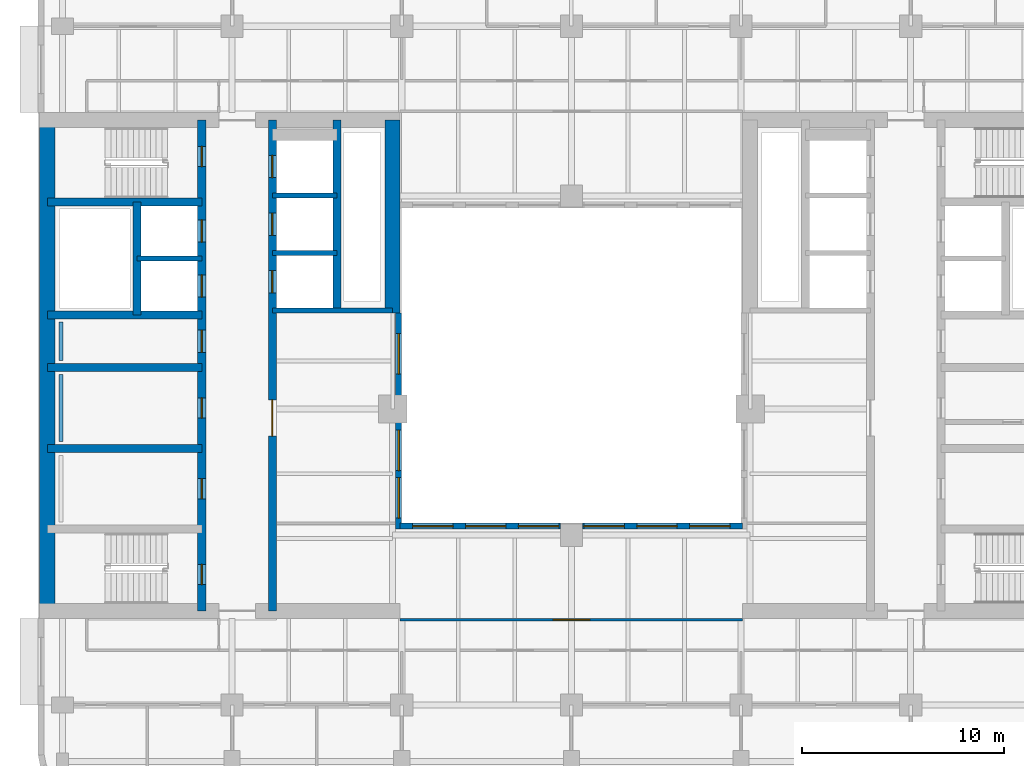
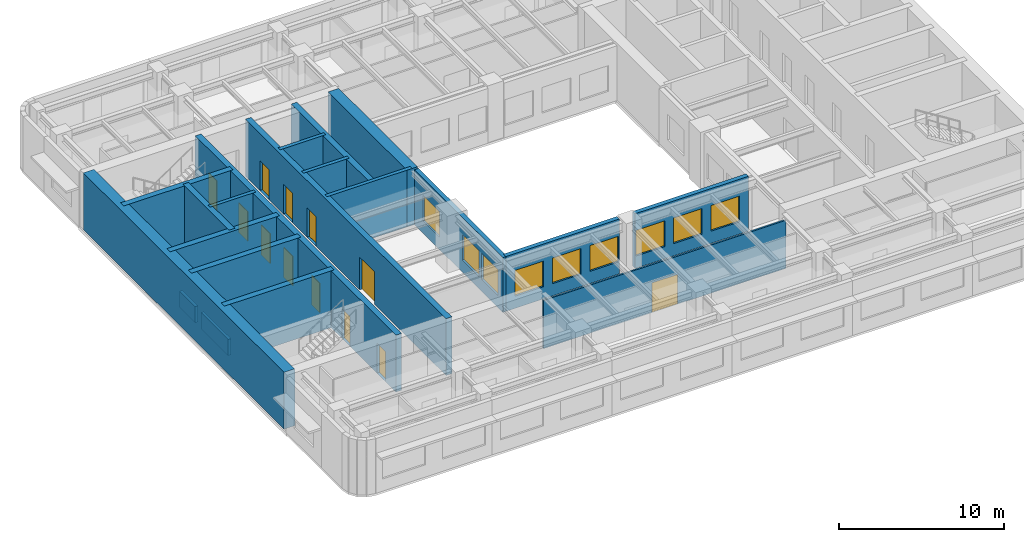
# One storey, part 4 of 11: 20 walls, 12 doors, 9 windows, 21 openings.
"""IFC4 building model written with IfcOpenShell, lengths in metres."""

from ifc_helpers import new_model, si_unit, direction, frame, frame_2d, origin, place, context, subcontext, project, spatial, rectangle, extrude, material, layer, layer_set, type_object, element, fill, save


model = new_model("IFC4")

# Units and contexts
model_context = context("Model", 3, precision=1e-05, world=origin(), true_north=direction((0.0, 1.0)))
body_context = subcontext(model_context, "Body", "Model", "MODEL_VIEW")
ifc_project = project(units=[si_unit("LENGTHUNIT", "METRE"), si_unit("AREAUNIT", "SQUARE_METRE"), si_unit("VOLUMEUNIT", "CUBIC_METRE"), si_unit("PLANEANGLEUNIT", "RADIAN"), si_unit("MASSUNIT", "GRAM", prefix="KILO")], contexts=[model_context])

# Site, building, storey
site_placement = place(None, origin())
site = spatial("IfcSite", under=ifc_project, at=site_placement, CompositionType="ELEMENT")
building_placement = place(site_placement, origin())
building = spatial("IfcBuilding", under=site, at=building_placement, Name="Claustro Exchange Tower", CompositionType="ELEMENT")
storey_placement = place(building_placement, frame((0.0, 0.0, 202.800048828125)))
storey = spatial("IfcBuildingStorey", under=building, at=storey_placement, Name="L46", CompositionType="ELEMENT", Elevation=202.800048828125)

# Wall, opening, door
ifc_material_1 = material(Name="Laminated glass in aluminium frame", Category="aluminium")
ifc_layer_1 = layer(ifc_material_1, 0.1201171875)
ifc_layer_set_1 = layer_set([ifc_layer_1], Name="Laminated glass in aluminium frame")
wall_type_1 = type_object("IfcWallType", Name="P2 120 glazed partition", PredefinedType="PARTITIONING", material=ifc_layer_set_1)
wall_1_placement = place(storey_placement, frame((16.72509765625, 12.614990234375, 0.0), z_axis=(0.0, 0.0, 1.0), x_axis=(1.0, 0.0, 0.0)))
wall_1 = element("IfcWall", 1, at=wall_1_placement, inside=storey, type_object=wall_type_1, Name="Partition P2 L46", PredefinedType="PARTITIONING", context=body_context, shape_type="SweptSolid", body=[
    extrude(rectangle(XDim=16.949951171875, YDim=0.1201171875, at=frame_2d((8.47509765625, 0.0))), origin(), (0.0, 0.0, 1.0), 3.550048828125),
])
opening_1_placement = place(wall_1_placement, frame((7.574951171875, 0.0, 0.0)))
opening_1 = element("IfcOpeningElement", 2, at=opening_1_placement, cuts=wall_1, Name="Opening D2", PredefinedType="OPENING", context=body_context, shape_type="SweptSolid", body=[
    extrude(rectangle(XDim=1.800048828125, YDim=2.199951171875, at=frame_2d((0.89990234375, 1.10009765625))), frame((0.0, 0.070068359375, 0.0), z_axis=(0.0, -1.0, 0.0), x_axis=(1.0, 0.0, 0.0)), (0.0, 0.0, 1.0), 0.14013671875),
])
ifc_material_2 = material(Name="Timber door, oak veneer", Category="wood")
door_type_1 = type_object("IfcDoorType", Name="D2 1800 x 2200 double door", OperationType="DOUBLE_DOOR_SINGLE_SWING", PredefinedType="DOOR", material=ifc_material_2)
door_1_placement = place(opening_1_placement, origin())
door_1 = element("IfcDoor", 3, at=door_1_placement, inside=storey, type_object=door_type_1, Name="Double door D2 L46", OperationType="DOUBLE_DOOR_SINGLE_SWING", OverallHeight=2.199951171875, OverallWidth=1.800048828125, PredefinedType="DOOR", context=body_context, shape_type="SweptSolid", body=[
    extrude(rectangle(XDim=1.800048828125, YDim=2.199951171875, at=frame_2d((0.89990234375, 1.10009765625))), frame((0.0, 0.02490234375, 0.0), z_axis=(0.0, -1.0, 0.0), x_axis=(1.0, 0.0, 0.0)), (0.0, 0.0, 1.0), 0.050048828125),
])
fill(opening_1, door_1)

# Wall, openings, windows
ifc_material_3 = material(Name="Concrete HA-40 (C40/50), precast, white cement, acid-etched", Category="concrete")
ifc_layer_2 = layer(ifc_material_3, 0.300048828125)
ifc_layer_set_2 = layer_set([ifc_layer_2], Name="Concrete HA-40 (C40/50), precast, white cement, acid-etched")
wall_type_2 = type_object("IfcWallType", Name="PC1 300 precast concrete pier panel", PredefinedType="SOLIDWALL", material=ifc_layer_set_2)
wall_2_placement = place(storey_placement, frame((16.64990234375, 17.10009765625, 0.0), z_axis=(0.0, 0.0, 1.0), x_axis=(0.0, 1.0, 0.0)))
wall_2 = element("IfcWall", 4, at=wall_2_placement, inside=storey, type_object=wall_type_2, Name="Precast pier panel PC1 L46", PredefinedType="SOLIDWALL", context=body_context, shape_type="SweptSolid", body=[
    extrude(rectangle(XDim=10.699951171875, YDim=0.300048828125, at=frame_2d((5.35009765625, 0.0))), origin(), (0.0, 0.0, 1.0), 4.050048828125),
])
opening_2_placement = place(wall_2_placement, frame((0.550048828125, 0.0, 0.89990234375)))
opening_2 = element("IfcOpeningElement", 5, at=opening_2_placement, cuts=wall_2, Name="Opening W4", PredefinedType="OPENING", context=body_context, shape_type="SweptSolid", body=[
    extrude(rectangle(XDim=2.0, YDim=1.89990234375, at=frame_2d((1.0, 0.949951171875))), frame((0.0, 0.159912109375, 0.0), z_axis=(0.0, -1.0, 0.0), x_axis=(1.0, 0.0, 0.0)), (0.0, 0.0, 1.0), 0.320068359375),
])
opening_3_placement = place(wall_2_placement, frame((2.89990234375, 0.0, 0.89990234375)))
opening_3 = element("IfcOpeningElement", 6, at=opening_3_placement, cuts=wall_2, Name="Opening W4", PredefinedType="OPENING", context=body_context, shape_type="SweptSolid", body=[
    extrude(rectangle(XDim=2.0, YDim=1.89990234375, at=frame_2d((1.0, 0.949951171875))), frame((0.0, 0.159912109375, 0.0), z_axis=(0.0, -1.0, 0.0), x_axis=(1.0, 0.0, 0.0)), (0.0, 0.0, 1.0), 0.320068359375),
])
opening_4_placement = place(wall_2_placement, frame((7.675048828125, 0.0, 0.89990234375)))
opening_4 = element("IfcOpeningElement", 7, at=opening_4_placement, cuts=wall_2, Name="Opening W4", PredefinedType="OPENING", context=body_context, shape_type="SweptSolid", body=[
    extrude(rectangle(XDim=2.0, YDim=1.89990234375, at=frame_2d((1.0, 0.949951171875))), frame((0.0, 0.159912109375, 0.0), z_axis=(0.0, -1.0, 0.0), x_axis=(1.0, 0.0, 0.0)), (0.0, 0.0, 1.0), 0.320068359375),
])
ifc_material_4 = material(Name="Aluminium frame, clear double glazing", Category="aluminium")
window_type = type_object("IfcWindowType", Name="W4 2000 x 1900 light well window", PartitioningType="SINGLE_PANEL", PredefinedType="WINDOW", material=ifc_material_4)
window_1_placement = place(opening_2_placement, origin())
window_1 = element("IfcWindow", 8, at=window_1_placement, inside=storey, type_object=window_type, Name="Window W4 L46", OverallHeight=1.89990234375, OverallWidth=2.0, PartitioningType="SINGLE_PANEL", PredefinedType="WINDOW", context=body_context, shape_type="SweptSolid", body=[
    extrude(rectangle(XDim=2.0, YDim=1.89990234375, at=frame_2d((1.0, 0.949951171875))), frame((0.0, 0.030029296875, 0.0), z_axis=(0.0, -1.0, 0.0), x_axis=(1.0, 0.0, 0.0)), (0.0, 0.0, 1.0), 0.06005859375),
])
fill(opening_2, window_1)
window_2_placement = place(opening_3_placement, origin())
window_2 = element("IfcWindow", 9, at=window_2_placement, inside=storey, type_object=window_type, Name="Window W4 L46", OverallHeight=1.89990234375, OverallWidth=2.0, PartitioningType="SINGLE_PANEL", PredefinedType="WINDOW", context=body_context, shape_type="SweptSolid", body=[
    extrude(rectangle(XDim=2.0, YDim=1.89990234375, at=frame_2d((1.0, 0.949951171875))), frame((0.0, 0.030029296875, 0.0), z_axis=(0.0, -1.0, 0.0), x_axis=(1.0, 0.0, 0.0)), (0.0, 0.0, 1.0), 0.06005859375),
])
fill(opening_3, window_2)
window_3_placement = place(opening_4_placement, origin())
window_3 = element("IfcWindow", 10, at=window_3_placement, inside=storey, type_object=window_type, Name="Window W4 L46", OverallHeight=1.89990234375, OverallWidth=2.0, PartitioningType="SINGLE_PANEL", PredefinedType="WINDOW", context=body_context, shape_type="SweptSolid", body=[
    extrude(rectangle(XDim=2.0, YDim=1.89990234375, at=frame_2d((1.0, 0.949951171875))), frame((0.0, 0.030029296875, 0.0), z_axis=(0.0, -1.0, 0.0), x_axis=(1.0, 0.0, 0.0)), (0.0, 0.0, 1.0), 0.06005859375),
])
fill(opening_4, window_3)

wall_3_placement = place(storey_placement, frame((16.72509765625, 17.25, 0.0), z_axis=(0.0, 0.0, 1.0), x_axis=(1.0, 0.0, 0.0)))
wall_3 = element("IfcWall", 11, at=wall_3_placement, inside=storey, type_object=wall_type_2, Name="Precast pier panel PC1 L46", PredefinedType="SOLIDWALL", context=body_context, shape_type="SweptSolid", body=[
    extrude(rectangle(XDim=7.9248046875, YDim=0.300048828125, at=frame_2d((3.96240234375, 0.0))), origin(), (0.0, 0.0, 1.0), 4.050048828125),
])
opening_5_placement = place(wall_3_placement, frame((0.61865234375, 0.0, 0.89990234375)))
opening_5 = element("IfcOpeningElement", 12, at=opening_5_placement, cuts=wall_3, Name="Opening W4", PredefinedType="OPENING", context=body_context, shape_type="SweptSolid", body=[
    extrude(rectangle(XDim=2.0, YDim=1.89990234375, at=frame_2d((1.0, 0.949951171875))), frame((0.0, 0.159912109375, 0.0), z_axis=(0.0, -1.0, 0.0), x_axis=(1.0, 0.0, 0.0)), (0.0, 0.0, 1.0), 0.320068359375),
])
opening_6_placement = place(wall_3_placement, frame((3.237548828125, 0.0, 0.89990234375)))
opening_6 = element("IfcOpeningElement", 13, at=opening_6_placement, cuts=wall_3, Name="Opening W4", PredefinedType="OPENING", context=body_context, shape_type="SweptSolid", body=[
    extrude(rectangle(XDim=2.0, YDim=1.89990234375, at=frame_2d((1.0, 0.949951171875))), frame((0.0, 0.159912109375, 0.0), z_axis=(0.0, -1.0, 0.0), x_axis=(1.0, 0.0, 0.0)), (0.0, 0.0, 1.0), 0.320068359375),
])
opening_7_placement = place(wall_3_placement, frame((5.856201171875, 0.0, 0.89990234375)))
opening_7 = element("IfcOpeningElement", 14, at=opening_7_placement, cuts=wall_3, Name="Opening W4", PredefinedType="OPENING", context=body_context, shape_type="SweptSolid", body=[
    extrude(rectangle(XDim=2.0, YDim=1.89990234375, at=frame_2d((1.0, 0.949951171875))), frame((0.0, 0.159912109375, 0.0), z_axis=(0.0, -1.0, 0.0), x_axis=(1.0, 0.0, 0.0)), (0.0, 0.0, 1.0), 0.320068359375),
])
window_4_placement = place(opening_5_placement, origin())
window_4 = element("IfcWindow", 15, at=window_4_placement, inside=storey, type_object=window_type, Name="Window W4 L46", OverallHeight=1.89990234375, OverallWidth=2.0, PartitioningType="SINGLE_PANEL", PredefinedType="WINDOW", context=body_context, shape_type="SweptSolid", body=[
    extrude(rectangle(XDim=2.0, YDim=1.89990234375, at=frame_2d((1.0, 0.949951171875))), frame((0.0, 0.030029296875, 0.0), z_axis=(0.0, -1.0, 0.0), x_axis=(1.0, 0.0, 0.0)), (0.0, 0.0, 1.0), 0.06005859375),
])
fill(opening_5, window_4)
window_5_placement = place(opening_6_placement, origin())
window_5 = element("IfcWindow", 16, at=window_5_placement, inside=storey, type_object=window_type, Name="Window W4 L46", OverallHeight=1.89990234375, OverallWidth=2.0, PartitioningType="SINGLE_PANEL", PredefinedType="WINDOW", context=body_context, shape_type="SweptSolid", body=[
    extrude(rectangle(XDim=2.0, YDim=1.89990234375, at=frame_2d((1.0, 0.949951171875))), frame((0.0, 0.030029296875, 0.0), z_axis=(0.0, -1.0, 0.0), x_axis=(1.0, 0.0, 0.0)), (0.0, 0.0, 1.0), 0.06005859375),
])
fill(opening_6, window_5)
window_6_placement = place(opening_7_placement, origin())
window_6 = element("IfcWindow", 17, at=window_6_placement, inside=storey, type_object=window_type, Name="Window W4 L46", OverallHeight=1.89990234375, OverallWidth=2.0, PartitioningType="SINGLE_PANEL", PredefinedType="WINDOW", context=body_context, shape_type="SweptSolid", body=[
    extrude(rectangle(XDim=2.0, YDim=1.89990234375, at=frame_2d((1.0, 0.949951171875))), frame((0.0, 0.030029296875, 0.0), z_axis=(0.0, -1.0, 0.0), x_axis=(1.0, 0.0, 0.0)), (0.0, 0.0, 1.0), 0.06005859375),
])
fill(opening_7, window_6)

wall_4_placement = place(storey_placement, frame((25.75, 17.25, 0.0), z_axis=(0.0, 0.0, 1.0), x_axis=(1.0, 0.0, 0.0)))
wall_4 = element("IfcWall", 18, at=wall_4_placement, inside=storey, type_object=wall_type_2, Name="Precast pier panel PC1 L46", PredefinedType="SOLIDWALL", context=body_context, shape_type="SweptSolid", body=[
    extrude(rectangle(XDim=7.925048828125, YDim=0.300048828125, at=frame_2d((3.96240234375, 0.0))), origin(), (0.0, 0.0, 1.0), 4.050048828125),
])
opening_8_placement = place(wall_4_placement, frame((0.068603515625, 0.0, 0.89990234375)))
opening_8 = element("IfcOpeningElement", 19, at=opening_8_placement, cuts=wall_4, Name="Opening W4", PredefinedType="OPENING", context=body_context, shape_type="SweptSolid", body=[
    extrude(rectangle(XDim=2.0, YDim=1.89990234375, at=frame_2d((1.0, 0.949951171875))), frame((0.0, 0.159912109375, 0.0), z_axis=(0.0, -1.0, 0.0), x_axis=(1.0, 0.0, 0.0)), (0.0, 0.0, 1.0), 0.320068359375),
])
opening_9_placement = place(wall_4_placement, frame((2.6875, 0.0, 0.89990234375)))
opening_9 = element("IfcOpeningElement", 20, at=opening_9_placement, cuts=wall_4, Name="Opening W4", PredefinedType="OPENING", context=body_context, shape_type="SweptSolid", body=[
    extrude(rectangle(XDim=2.0, YDim=1.89990234375, at=frame_2d((1.0, 0.949951171875))), frame((0.0, 0.159912109375, 0.0), z_axis=(0.0, -1.0, 0.0), x_axis=(1.0, 0.0, 0.0)), (0.0, 0.0, 1.0), 0.320068359375),
])
opening_10_placement = place(wall_4_placement, frame((5.30615234375, 0.0, 0.89990234375)))
opening_10 = element("IfcOpeningElement", 21, at=opening_10_placement, cuts=wall_4, Name="Opening W4", PredefinedType="OPENING", context=body_context, shape_type="SweptSolid", body=[
    extrude(rectangle(XDim=2.0, YDim=1.89990234375, at=frame_2d((1.0, 0.949951171875))), frame((0.0, 0.159912109375, 0.0), z_axis=(0.0, -1.0, 0.0), x_axis=(1.0, 0.0, 0.0)), (0.0, 0.0, 1.0), 0.320068359375),
])
window_7_placement = place(opening_8_placement, origin())
window_7 = element("IfcWindow", 22, at=window_7_placement, inside=storey, type_object=window_type, Name="Window W4 L46", OverallHeight=1.89990234375, OverallWidth=2.0, PartitioningType="SINGLE_PANEL", PredefinedType="WINDOW", context=body_context, shape_type="SweptSolid", body=[
    extrude(rectangle(XDim=2.0, YDim=1.89990234375, at=frame_2d((1.0, 0.949951171875))), frame((0.0, 0.030029296875, 0.0), z_axis=(0.0, -1.0, 0.0), x_axis=(1.0, 0.0, 0.0)), (0.0, 0.0, 1.0), 0.06005859375),
])
fill(opening_8, window_7)
window_8_placement = place(opening_9_placement, origin())
window_8 = element("IfcWindow", 23, at=window_8_placement, inside=storey, type_object=window_type, Name="Window W4 L46", OverallHeight=1.89990234375, OverallWidth=2.0, PartitioningType="SINGLE_PANEL", PredefinedType="WINDOW", context=body_context, shape_type="SweptSolid", body=[
    extrude(rectangle(XDim=2.0, YDim=1.89990234375, at=frame_2d((1.0, 0.949951171875))), frame((0.0, 0.030029296875, 0.0), z_axis=(0.0, -1.0, 0.0), x_axis=(1.0, 0.0, 0.0)), (0.0, 0.0, 1.0), 0.06005859375),
])
fill(opening_9, window_8)
window_9_placement = place(opening_10_placement, origin())
window_9 = element("IfcWindow", 24, at=window_9_placement, inside=storey, type_object=window_type, Name="Window W4 L46", OverallHeight=1.89990234375, OverallWidth=2.0, PartitioningType="SINGLE_PANEL", PredefinedType="WINDOW", context=body_context, shape_type="SweptSolid", body=[
    extrude(rectangle(XDim=2.0, YDim=1.89990234375, at=frame_2d((1.0, 0.949951171875))), frame((0.0, 0.030029296875, 0.0), z_axis=(0.0, -1.0, 0.0), x_axis=(1.0, 0.0, 0.0)), (0.0, 0.0, 1.0), 0.06005859375),
])
fill(opening_10, window_9)

# Walls
ifc_material_5 = material(Name="Gypsum board on steel studs, tiled", Category="steel")
ifc_layer_3 = layer(ifc_material_5, 0.199951171875)
ifc_layer_set_3 = layer_set([ifc_layer_3], Name="Gypsum board on steel studs, tiled")
wall_type_3 = type_object("IfcWallType", Name="PW1 200 WC duct wall", PredefinedType="PLUMBINGWALL", material=ifc_layer_set_3)
wall_5_placement = place(storey_placement, frame((-0.074951171875, 21.449951171875, 0.0), z_axis=(0.0, 0.0, 1.0), x_axis=(0.0, 1.0, 0.0)))
element("IfcWall", 25, at=wall_5_placement, inside=storey, type_object=wall_type_3, Name="WC duct wall PW1 L46", PredefinedType="PLUMBINGWALL", context=body_context, shape_type="SweptSolid", body=[
    extrude(rectangle(XDim=3.300048828125, YDim=0.199951171875, at=frame_2d((1.64990234375, 0.0))), origin(), (0.0, 0.0, 1.0), 1.199951171875),
])
wall_6_placement = place(storey_placement, frame((-0.074951171875, 25.449951171875, 0.0), z_axis=(0.0, 0.0, 1.0), x_axis=(0.0, 1.0, 0.0)))
element("IfcWall", 26, at=wall_6_placement, inside=storey, type_object=wall_type_3, Name="WC duct wall PW1 L46", PredefinedType="PLUMBINGWALL", context=body_context, shape_type="SweptSolid", body=[
    extrude(rectangle(XDim=1.900146484375, YDim=0.199951171875, at=frame_2d((0.9501953125, 0.0))), origin(), (0.0, 0.0, 1.0), 1.199951171875),
])
ifc_material_6 = material(Name="Concrete HA-70 (C70/85)", Category="concrete")
ifc_layer_4 = layer(ifc_material_6, 0.75)
ifc_layer_set_4 = layer_set([ifc_layer_4], Name="Concrete HA-70 (C70/85)")
wall_type_4 = type_object("IfcWallType", Name="SW2X 750 exposed core shear wall, board-marked face", PredefinedType="SHEAR", material=ifc_layer_set_4)
wall_7_placement = place(storey_placement, frame((-0.75, 13.050048828125, 0.0), z_axis=(0.0, 0.0, 1.0), x_axis=(0.0, 1.0, 0.0)))
element("IfcWall", 27, at=wall_7_placement, inside=storey, type_object=wall_type_4, Name="Core wall SW2X W core W face L46", PredefinedType="SHEAR", context=body_context, shape_type="SweptSolid", body=[
    extrude(rectangle(XDim=24.300048828125, YDim=0.75, at=frame_2d((12.14990234375, 0.0))), origin(), (0.0, 0.0, 1.0), 4.199951171875),
])
wall_8_placement = place(storey_placement, frame((16.35009765625, 27.800048828125, 0.0), z_axis=(0.0, 0.0, 1.0), x_axis=(0.0, 1.0, 0.0)))
element("IfcWall", 28, at=wall_8_placement, inside=storey, type_object=wall_type_4, Name="Core wall SW2X W core E face L46", PredefinedType="SHEAR", context=body_context, shape_type="SweptSolid", body=[
    extrude(rectangle(XDim=9.550048828125, YDim=0.75, at=frame_2d((4.77490234375, 0.0))), origin(), (0.0, 0.0, 1.0), 4.199951171875),
])

# Wall, openings, doors
ifc_material_7 = material(Name="Concrete HA-50 (C50/60)", Category="concrete")
ifc_layer_5 = layer(ifc_material_7, 0.39990234375)
ifc_layer_set_5 = layer_set([ifc_layer_5], Name="Concrete HA-50 (C50/60)")
wall_type_5 = type_object("IfcWallType", Name="SW4 400 internal core wall", PredefinedType="SHEAR", material=ifc_layer_set_5)
wall_9_placement = place(storey_placement, frame((6.89990234375, 13.050048828125, 0.0), z_axis=(0.0, 0.0, 1.0), x_axis=(0.0, 1.0, 0.0)))
wall_9 = element("IfcWall", 29, at=wall_9_placement, inside=storey, type_object=wall_type_5, Name="Internal core wall SW4 W core L46", PredefinedType="SHEAR", context=body_context, shape_type="SweptSolid", body=[
    extrude(rectangle(XDim=24.300048828125, YDim=0.39990234375, at=frame_2d((12.14990234375, 0.0))), origin(), (0.0, 0.0, 1.0), 4.199951171875),
])
opening_11_placement = place(wall_9_placement, frame((1.300048828125, 0.0, 0.0)))
opening_11 = element("IfcOpeningElement", 30, at=opening_11_placement, cuts=wall_9, Name="Opening D4", PredefinedType="OPENING", context=body_context, shape_type="SweptSolid", body=[
    extrude(rectangle(XDim=1.0, YDim=2.199951171875, at=frame_2d((0.5, 1.10009765625))), frame((0.0, 0.2099609375, 0.0), z_axis=(0.0, -1.0, 0.0), x_axis=(1.0, 0.0, 0.0)), (0.0, 0.0, 1.0), 0.419921875),
])
opening_12_placement = place(wall_9_placement, frame((22.0, 0.0, 0.0)))
opening_12 = element("IfcOpeningElement", 31, at=opening_12_placement, cuts=wall_9, Name="Opening D4", PredefinedType="OPENING", context=body_context, shape_type="SweptSolid", body=[
    extrude(rectangle(XDim=1.0, YDim=2.199951171875, at=frame_2d((0.5, 1.10009765625))), frame((0.0, 0.2099609375, 0.0), z_axis=(0.0, -1.0, 0.0), x_axis=(1.0, 0.0, 0.0)), (0.0, 0.0, 1.0), 0.419921875),
])
opening_13_placement = place(wall_9_placement, frame((5.550048828125, 0.0, 0.0)))
opening_13 = element("IfcOpeningElement", 32, at=opening_13_placement, cuts=wall_9, Name="Opening D1", PredefinedType="OPENING", context=body_context, shape_type="SweptSolid", body=[
    extrude(rectangle(XDim=1.0, YDim=2.199951171875, at=frame_2d((0.5, 1.10009765625))), frame((0.0, 0.2099609375, 0.0), z_axis=(0.0, -1.0, 0.0), x_axis=(1.0, 0.0, 0.0)), (0.0, 0.0, 1.0), 0.419921875),
])
opening_14_placement = place(wall_9_placement, frame((9.550048828125, 0.0, 0.0)))
opening_14 = element("IfcOpeningElement", 33, at=opening_14_placement, cuts=wall_9, Name="Opening D1", PredefinedType="OPENING", context=body_context, shape_type="SweptSolid", body=[
    extrude(rectangle(XDim=1.0, YDim=2.199951171875, at=frame_2d((0.5, 1.10009765625))), frame((0.0, 0.2099609375, 0.0), z_axis=(0.0, -1.0, 0.0), x_axis=(1.0, 0.0, 0.0)), (0.0, 0.0, 1.0), 0.419921875),
])
opening_15_placement = place(wall_9_placement, frame((12.800048828125, 0.0, 0.0)))
opening_15 = element("IfcOpeningElement", 34, at=opening_15_placement, cuts=wall_9, Name="Opening D10", PredefinedType="OPENING", context=body_context, shape_type="SweptSolid", body=[
    extrude(rectangle(XDim=1.10009765625, YDim=2.199951171875, at=frame_2d((0.550048828125, 1.10009765625))), frame((0.0, 0.2099609375, 0.0), z_axis=(0.0, -1.0, 0.0), x_axis=(1.0, 0.0, 0.0)), (0.0, 0.0, 1.0), 0.419921875),
])
opening_16_placement = place(wall_9_placement, frame((15.53759765625, 0.0, 0.0)))
opening_16 = element("IfcOpeningElement", 35, at=opening_16_placement, cuts=wall_9, Name="Opening LD", PredefinedType="OPENING", context=body_context, shape_type="SweptSolid", body=[
    extrude(rectangle(XDim=1.10009765625, YDim=2.199951171875, at=frame_2d((0.550048828125, 1.10009765625))), frame((0.0, 0.2099609375, 0.0), z_axis=(0.0, -1.0, 0.0), x_axis=(1.0, 0.0, 0.0)), (0.0, 0.0, 1.0), 0.419921875),
])
opening_17_placement = place(wall_9_placement, frame((18.262451171875, 0.0, 0.0)))
opening_17 = element("IfcOpeningElement", 36, at=opening_17_placement, cuts=wall_9, Name="Opening LD", PredefinedType="OPENING", context=body_context, shape_type="SweptSolid", body=[
    extrude(rectangle(XDim=1.10009765625, YDim=2.199951171875, at=frame_2d((0.550048828125, 1.10009765625))), frame((0.0, 0.2099609375, 0.0), z_axis=(0.0, -1.0, 0.0), x_axis=(1.0, 0.0, 0.0)), (0.0, 0.0, 1.0), 0.419921875),
])
ifc_material_8 = material(Name="Timber door, oak veneer", Category="wood")
door_type_2 = type_object("IfcDoorType", Name="D1 1000 x 2200 single door", OperationType="SINGLE_SWING_LEFT", PredefinedType="DOOR", material=ifc_material_8)
door_2_placement = place(opening_13_placement, origin())
door_2 = element("IfcDoor", 37, at=door_2_placement, inside=storey, type_object=door_type_2, Name="Door D1 L46", OperationType="SINGLE_SWING_RIGHT", OverallHeight=2.199951171875, OverallWidth=1.0, PredefinedType="DOOR", context=body_context, shape_type="SweptSolid", body=[
    extrude(rectangle(XDim=1.0, YDim=2.199951171875, at=frame_2d((0.5, 1.10009765625))), frame((0.0, 0.02490234375, 0.0), z_axis=(0.0, -1.0, 0.0), x_axis=(1.0, 0.0, 0.0)), (0.0, 0.0, 1.0), 0.050048828125),
])
fill(opening_13, door_2)
door_3_placement = place(opening_14_placement, origin())
door_3 = element("IfcDoor", 38, at=door_3_placement, inside=storey, type_object=door_type_2, Name="Door D1 L46", OperationType="SINGLE_SWING_RIGHT", OverallHeight=2.199951171875, OverallWidth=1.0, PredefinedType="DOOR", context=body_context, shape_type="SweptSolid", body=[
    extrude(rectangle(XDim=1.0, YDim=2.199951171875, at=frame_2d((0.5, 1.10009765625))), frame((0.0, 0.02490234375, 0.0), z_axis=(0.0, -1.0, 0.0), x_axis=(1.0, 0.0, 0.0)), (0.0, 0.0, 1.0), 0.050048828125),
])
fill(opening_14, door_3)
ifc_material_9 = material(Name="Timber door, oak veneer", Category="wood")
door_type_3 = type_object("IfcDoorType", Name="D10 1100 x 2200 accessible WC door", OperationType="SINGLE_SWING_LEFT", PredefinedType="DOOR", material=ifc_material_9)
door_4_placement = place(opening_15_placement, frame((1.10009765625, 0.0, 0.0), z_axis=(0.0, 0.0, 1.0), x_axis=(-1.0, 0.0, 0.0)))
door_4 = element("IfcDoor", 39, at=door_4_placement, inside=storey, type_object=door_type_3, Name="Accessible WC door D10 L46", OperationType="SINGLE_SWING_LEFT", OverallHeight=2.199951171875, OverallWidth=1.10009765625, PredefinedType="DOOR", context=body_context, shape_type="SweptSolid", body=[
    extrude(rectangle(XDim=1.10009765625, YDim=2.199951171875, at=frame_2d((0.550048828125, 1.10009765625))), frame((0.0, 0.02490234375, 0.0), z_axis=(0.0, -1.0, 0.0), x_axis=(1.0, 0.0, 0.0)), (0.0, 0.0, 1.0), 0.050048828125),
])
fill(opening_15, door_4)
ifc_material_10 = material(Name="Steel fire door, painted", Category="steel")
door_type_4 = type_object("IfcDoorType", Name="D4 1000 x 2200 fire-rated stair door", OperationType="SINGLE_SWING_LEFT", PredefinedType="DOOR", material=ifc_material_10)
door_5_placement = place(opening_11_placement, origin())
door_5 = element("IfcDoor", 40, at=door_5_placement, inside=storey, type_object=door_type_4, Name="Stair door D4 L46", OperationType="SINGLE_SWING_LEFT", OverallHeight=2.199951171875, OverallWidth=1.0, PredefinedType="DOOR", context=body_context, shape_type="SweptSolid", body=[
    extrude(rectangle(XDim=1.0, YDim=2.199951171875, at=frame_2d((0.5, 1.10009765625))), frame((0.0, 0.02490234375, 0.0), z_axis=(0.0, -1.0, 0.0), x_axis=(1.0, 0.0, 0.0)), (0.0, 0.0, 1.0), 0.050048828125),
])
fill(opening_11, door_5)
door_6_placement = place(opening_12_placement, origin())
door_6 = element("IfcDoor", 41, at=door_6_placement, inside=storey, type_object=door_type_4, Name="Stair door D4 L46", OperationType="SINGLE_SWING_RIGHT", OverallHeight=2.199951171875, OverallWidth=1.0, PredefinedType="DOOR", context=body_context, shape_type="SweptSolid", body=[
    extrude(rectangle(XDim=1.0, YDim=2.199951171875, at=frame_2d((0.5, 1.10009765625))), frame((0.0, 0.02490234375, 0.0), z_axis=(0.0, -1.0, 0.0), x_axis=(1.0, 0.0, 0.0)), (0.0, 0.0, 1.0), 0.050048828125),
])
fill(opening_12, door_6)
ifc_material_11 = material(Name="Stainless steel sliding door", Category="steel")
door_type_5 = type_object("IfcDoorType", Name="LD 1100 x 2200 lift landing door", OperationType="DOUBLE_DOOR_SLIDING", PredefinedType="DOOR", material=ifc_material_11)
door_7_placement = place(opening_16_placement, origin())
door_7 = element("IfcDoor", 42, at=door_7_placement, inside=storey, type_object=door_type_5, Name="Lift landing door LEW1 LD L46", OperationType="DOUBLE_DOOR_SLIDING", OverallHeight=2.199951171875, OverallWidth=1.10009765625, PredefinedType="DOOR", context=body_context, shape_type="SweptSolid", body=[
    extrude(rectangle(XDim=1.10009765625, YDim=2.199951171875, at=frame_2d((0.550048828125, 1.10009765625))), frame((0.0, 0.02490234375, 0.0), z_axis=(0.0, -1.0, 0.0), x_axis=(1.0, 0.0, 0.0)), (0.0, 0.0, 1.0), 0.050048828125),
])
fill(opening_16, door_7)
door_8_placement = place(opening_17_placement, origin())
door_8 = element("IfcDoor", 43, at=door_8_placement, inside=storey, type_object=door_type_5, Name="Lift landing door LEW2 LD L46", OperationType="DOUBLE_DOOR_SLIDING", OverallHeight=2.199951171875, OverallWidth=1.10009765625, PredefinedType="DOOR", context=body_context, shape_type="SweptSolid", body=[
    extrude(rectangle(XDim=1.10009765625, YDim=2.199951171875, at=frame_2d((0.550048828125, 1.10009765625))), frame((0.0, 0.02490234375, 0.0), z_axis=(0.0, -1.0, 0.0), x_axis=(1.0, 0.0, 0.0)), (0.0, 0.0, 1.0), 0.050048828125),
])
fill(opening_17, door_8)

wall_10_placement = place(storey_placement, frame((10.39990234375, 13.050048828125, 0.0), z_axis=(0.0, 0.0, 1.0), x_axis=(0.0, 1.0, 0.0)))
wall_10 = element("IfcWall", 44, at=wall_10_placement, inside=storey, type_object=wall_type_5, Name="Internal core wall SW4 W core L46", PredefinedType="SHEAR", context=body_context, shape_type="SweptSolid", body=[
    extrude(rectangle(XDim=24.300048828125, YDim=0.39990234375, at=frame_2d((12.14990234375, 0.0))), origin(), (0.0, 0.0, 1.0), 4.199951171875),
])
opening_18_placement = place(wall_10_placement, frame((15.75, 0.0, 0.0)))
opening_18 = element("IfcOpeningElement", 45, at=opening_18_placement, cuts=wall_10, Name="Opening LD", PredefinedType="OPENING", context=body_context, shape_type="SweptSolid", body=[
    extrude(rectangle(XDim=1.10009765625, YDim=2.199951171875, at=frame_2d((0.550048828125, 1.10009765625))), frame((0.0, 0.2099609375, 0.0), z_axis=(0.0, -1.0, 0.0), x_axis=(1.0, 0.0, 0.0)), (0.0, 0.0, 1.0), 0.419921875),
])
opening_19_placement = place(wall_10_placement, frame((18.60009765625, 0.0, 0.0)))
opening_19 = element("IfcOpeningElement", 46, at=opening_19_placement, cuts=wall_10, Name="Opening LD", PredefinedType="OPENING", context=body_context, shape_type="SweptSolid", body=[
    extrude(rectangle(XDim=1.10009765625, YDim=2.199951171875, at=frame_2d((0.550048828125, 1.10009765625))), frame((0.0, 0.2099609375, 0.0), z_axis=(0.0, -1.0, 0.0), x_axis=(1.0, 0.0, 0.0)), (0.0, 0.0, 1.0), 0.419921875),
])
opening_20_placement = place(wall_10_placement, frame((21.449951171875, 0.0, 0.0)))
opening_20 = element("IfcOpeningElement", 47, at=opening_20_placement, cuts=wall_10, Name="Opening LD", PredefinedType="OPENING", context=body_context, shape_type="SweptSolid", body=[
    extrude(rectangle(XDim=1.10009765625, YDim=2.199951171875, at=frame_2d((0.550048828125, 1.10009765625))), frame((0.0, 0.2099609375, 0.0), z_axis=(0.0, -1.0, 0.0), x_axis=(1.0, 0.0, 0.0)), (0.0, 0.0, 1.0), 0.419921875),
])
opening_21_placement = place(wall_10_placement, frame((8.64990234375, 0.0, 0.0)))
opening_21 = element("IfcOpeningElement", 48, at=opening_21_placement, cuts=wall_10, Name="Opening D3", PredefinedType="OPENING", context=body_context, shape_type="SweptSolid", body=[
    extrude(rectangle(XDim=1.800048828125, YDim=2.39990234375, at=frame_2d((0.89990234375, 1.199951171875))), frame((0.0, 0.2099609375, 0.0), z_axis=(0.0, -1.0, 0.0), x_axis=(1.0, 0.0, 0.0)), (0.0, 0.0, 1.0), 0.419921875),
])
ifc_material_12 = material(Name="Steel fire door, painted", Category="steel")
door_type_6 = type_object("IfcDoorType", Name="D3 1800 x 2400 fire-rated lobby double door", OperationType="DOUBLE_DOOR_SINGLE_SWING", PredefinedType="DOOR", material=ifc_material_12)
door_9_placement = place(opening_21_placement, frame((1.800048828125, 0.0, 0.0), z_axis=(0.0, 0.0, 1.0), x_axis=(-1.0, 0.0, 0.0)))
door_9 = element("IfcDoor", 49, at=door_9_placement, inside=storey, type_object=door_type_6, Name="Core zone door D3 L46", OperationType="DOUBLE_DOOR_SINGLE_SWING", OverallHeight=2.39990234375, OverallWidth=1.800048828125, PredefinedType="DOOR", context=body_context, shape_type="SweptSolid", body=[
    extrude(rectangle(XDim=1.800048828125, YDim=2.39990234375, at=frame_2d((0.89990234375, 1.199951171875))), frame((0.0, 0.02490234375, 0.0), z_axis=(0.0, -1.0, 0.0), x_axis=(1.0, 0.0, 0.0)), (0.0, 0.0, 1.0), 0.050048828125),
])
fill(opening_21, door_9)
door_10_placement = place(opening_18_placement, origin())
door_10 = element("IfcDoor", 50, at=door_10_placement, inside=storey, type_object=door_type_5, Name="Lift landing door LHW1 LD L46", OperationType="DOUBLE_DOOR_SLIDING", OverallHeight=2.199951171875, OverallWidth=1.10009765625, PredefinedType="DOOR", context=body_context, shape_type="SweptSolid", body=[
    extrude(rectangle(XDim=1.10009765625, YDim=2.199951171875, at=frame_2d((0.550048828125, 1.10009765625))), frame((0.0, 0.02490234375, 0.0), z_axis=(0.0, -1.0, 0.0), x_axis=(1.0, 0.0, 0.0)), (0.0, 0.0, 1.0), 0.050048828125),
])
fill(opening_18, door_10)
door_11_placement = place(opening_19_placement, origin())
door_11 = element("IfcDoor", 51, at=door_11_placement, inside=storey, type_object=door_type_5, Name="Lift landing door LHW2 LD L46", OperationType="DOUBLE_DOOR_SLIDING", OverallHeight=2.199951171875, OverallWidth=1.10009765625, PredefinedType="DOOR", context=body_context, shape_type="SweptSolid", body=[
    extrude(rectangle(XDim=1.10009765625, YDim=2.199951171875, at=frame_2d((0.550048828125, 1.10009765625))), frame((0.0, 0.02490234375, 0.0), z_axis=(0.0, -1.0, 0.0), x_axis=(1.0, 0.0, 0.0)), (0.0, 0.0, 1.0), 0.050048828125),
])
fill(opening_19, door_11)
door_12_placement = place(opening_20_placement, origin())
door_12 = element("IfcDoor", 52, at=door_12_placement, inside=storey, type_object=door_type_5, Name="Lift landing door LSW1 LD L46", OperationType="DOUBLE_DOOR_SLIDING", OverallHeight=2.199951171875, OverallWidth=1.10009765625, PredefinedType="DOOR", context=body_context, shape_type="SweptSolid", body=[
    extrude(rectangle(XDim=1.10009765625, YDim=2.199951171875, at=frame_2d((0.550048828125, 1.10009765625))), frame((0.0, 0.02490234375, 0.0), z_axis=(0.0, -1.0, 0.0), x_axis=(1.0, 0.0, 0.0)), (0.0, 0.0, 1.0), 0.050048828125),
])
fill(opening_20, door_12)

# Walls
wall_11_placement = place(storey_placement, frame((13.60009765625, 27.925048828125, 0.0), z_axis=(0.0, 0.0, 1.0), x_axis=(0.0, 1.0, 0.0)))
element("IfcWall", 53, at=wall_11_placement, inside=storey, type_object=wall_type_5, Name="Internal core wall SW4 W core L46", PredefinedType="SHEAR", context=body_context, shape_type="SweptSolid", body=[
    extrude(rectangle(XDim=9.425048828125, YDim=0.39990234375, at=frame_2d((4.71240234375, 0.0))), origin(), (0.0, 0.0, 1.0), 4.199951171875),
])
for number, where, z_axis, x_axis, name in (
    (54, (-0.75, 21.10009765625, 0.0), (0.0, 0.0, 1.0), (1.0, 0.0, 0.0), "Internal core wall SW4 W core L46"),
    (55, (-0.75, 25.10009765625, 0.0), (0.0, 0.0, 1.0), (1.0, 0.0, 0.0), "Internal core wall SW4 W core L46"),
    (56, (-0.75, 27.699951171875, 0.0), (0.0, 0.0, 1.0), (1.0, 0.0, 0.0), "Internal core wall SW4 W core L46"),
    (57, (-0.75, 33.300048828125, 0.0), (0.0, 0.0, 1.0), (1.0, 0.0, 0.0), "Internal core wall SW4 W core L46"),
):
    element("IfcWall", number, at=place(storey_placement, frame(where, z_axis=z_axis, x_axis=x_axis)), inside=storey, type_object=wall_type_5, Name=name, PredefinedType="SHEAR", context=body_context, shape_type="SweptSolid", body=[
        extrude(rectangle(XDim=7.64990234375, YDim=0.39990234375, at=frame_2d((3.824951171875, 0.0))), origin(), (0.0, 0.0, 1.0), 4.199951171875),
    ])
wall_12_placement = place(storey_placement, frame((3.699951171875, 27.699951171875, 0.0), z_axis=(0.0, 0.0, 1.0), x_axis=(0.0, 1.0, 0.0)))
element("IfcWall", 58, at=wall_12_placement, inside=storey, type_object=wall_type_5, Name="Internal core wall SW4 W core L46", PredefinedType="SHEAR", context=body_context, shape_type="SweptSolid", body=[
    extrude(rectangle(XDim=5.60009765625, YDim=0.39990234375, at=frame_2d((2.800048828125, 0.0))), origin(), (0.0, 0.0, 1.0), 4.199951171875),
])
ifc_material_13 = material(Name="Concrete HA-50 (C50/60)", Category="concrete")
ifc_layer_6 = layer(ifc_material_13, 0.25)
ifc_layer_set_6 = layer_set([ifc_layer_6], Name="Concrete HA-50 (C50/60)")
wall_type_6 = type_object("IfcWallType", Name="SW5 250 lift shaft divider wall", PredefinedType="SHEAR", material=ifc_layer_set_6)
wall_13_placement = place(storey_placement, frame((3.699951171875, 30.5, 0.0), z_axis=(0.0, 0.0, 1.0), x_axis=(1.0, 0.0, 0.0)))
element("IfcWall", 59, at=wall_13_placement, inside=storey, type_object=wall_type_6, Name="Lift shaft wall W core L46", PredefinedType="SHEAR", context=body_context, shape_type="SweptSolid", body=[
    extrude(rectangle(XDim=3.199951171875, YDim=0.25, at=frame_2d((1.60009765625, 0.0))), origin(), (0.0, 0.0, 1.0), 4.199951171875),
])
wall_14_placement = place(storey_placement, frame((10.39990234375, 27.925048828125, 0.0), z_axis=(0.0, 0.0, 1.0), x_axis=(1.0, 0.0, 0.0)))
element("IfcWall", 60, at=wall_14_placement, inside=storey, type_object=wall_type_6, Name="Core step wall W core L46", PredefinedType="SHEAR", context=body_context, shape_type="SweptSolid", body=[
    extrude(rectangle(XDim=5.9501953125, YDim=0.25, at=frame_2d((2.97509765625, 0.0))), origin(), (0.0, 0.0, 1.0), 4.199951171875),
])
for number, where, z_axis, x_axis, name in (
    (61, (10.39990234375, 30.77490234375, 0.0), (0.0, 0.0, 1.0), (1.0, 0.0, 0.0), "Lift shaft wall W core L46"),
    (62, (10.39990234375, 33.625, 0.0), (0.0, 0.0, 1.0), (1.0, 0.0, 0.0), "Lift shaft wall W core L46"),
):
    element("IfcWall", number, at=place(storey_placement, frame(where, z_axis=z_axis, x_axis=x_axis)), inside=storey, type_object=wall_type_6, Name=name, PredefinedType="SHEAR", context=body_context, shape_type="SweptSolid", body=[
        extrude(rectangle(XDim=3.2001953125, YDim=0.25, at=frame_2d((1.60009765625, 0.0))), origin(), (0.0, 0.0, 1.0), 4.199951171875),
    ])

save(model, "model.ifc")
